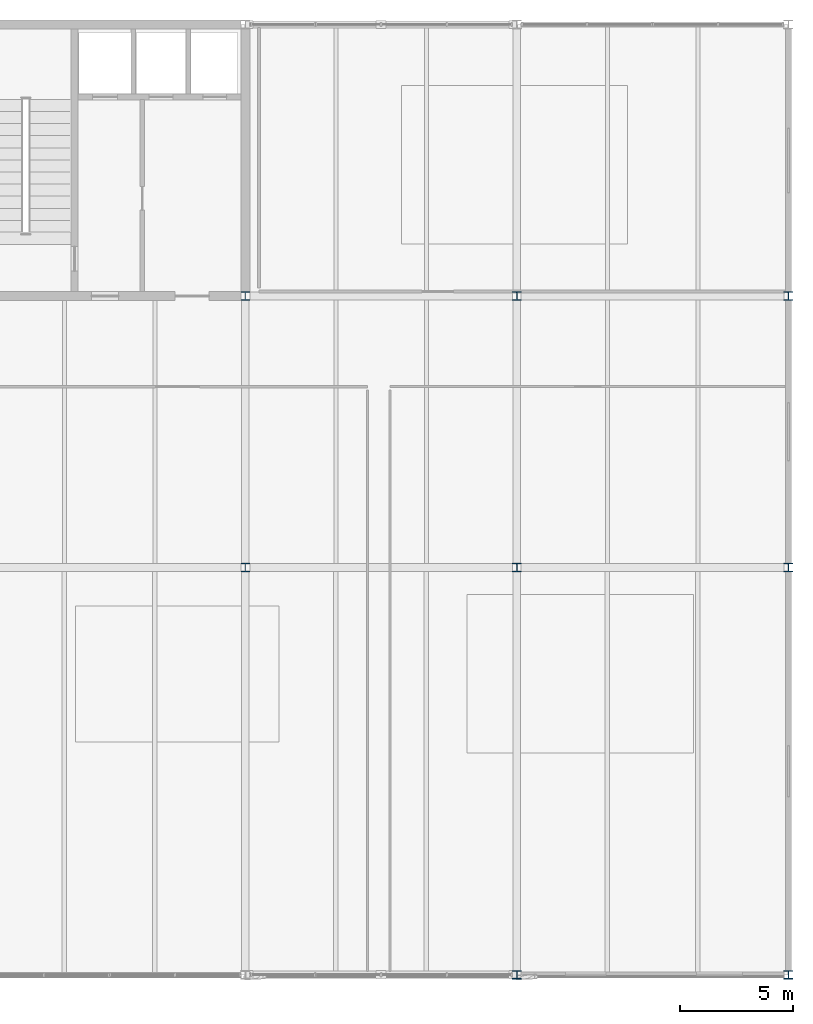
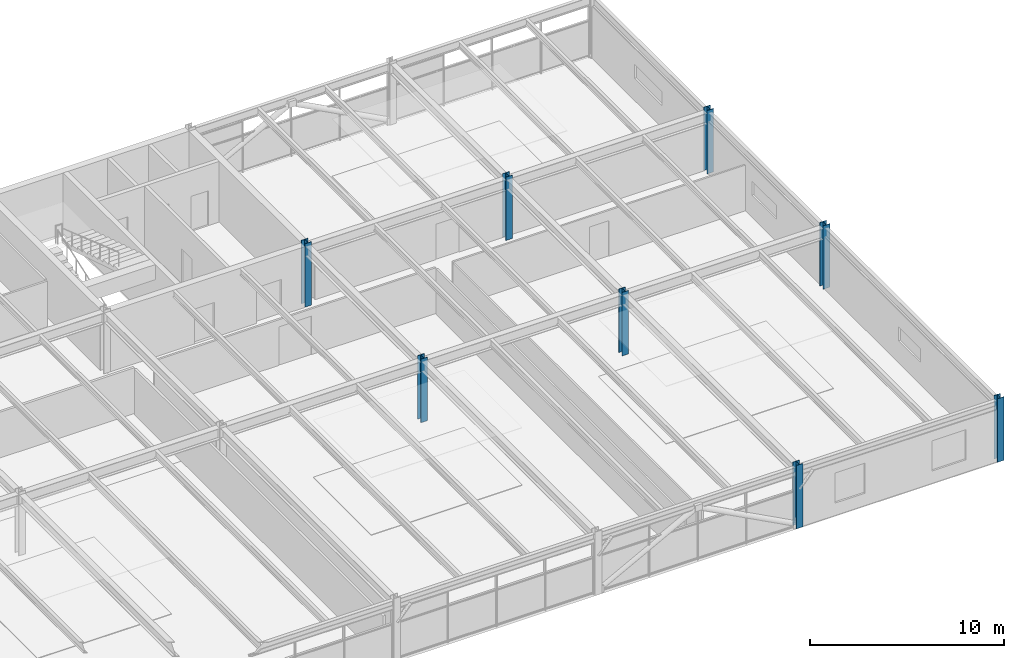
# One storey, part 5 of 51: 8 columns.
"""IFC4 building model written with IfcOpenShell, lengths in metres."""

from ifc_helpers import new_model, si_unit, direction, frame, origin, origin_2d, place, context, subcontext, project, spatial, i_section, extrude, material, material_profile, profile_set, type_object, element, save


model = new_model("IFC4")

# Units and contexts
model_context = context("Model", 3, precision=1e-05, world=origin(), true_north=direction((0.0, 1.0)))
body_context = subcontext(model_context, "Body", "Model", "MODEL_VIEW")
ifc_project = project(units=[si_unit("LENGTHUNIT", "METRE"), si_unit("AREAUNIT", "SQUARE_METRE"), si_unit("VOLUMEUNIT", "CUBIC_METRE"), si_unit("PLANEANGLEUNIT", "RADIAN"), si_unit("MASSUNIT", "GRAM", prefix="KILO")], contexts=[model_context])

# Site, building, storey
site_placement = place(None, origin())
site = spatial("IfcSite", under=ifc_project, at=site_placement, CompositionType="ELEMENT")
building_placement = place(site_placement, origin())
building = spatial("IfcBuilding", under=site, at=building_placement, Name="Girod Span Mobility Hub", CompositionType="ELEMENT")
storey_placement = place(building_placement, frame((0.0, 0.0, 41.60009765625)))
storey = spatial("IfcBuildingStorey", under=building, at=storey_placement, Name="L10", CompositionType="ELEMENT", Elevation=41.60009765625)

# Columns
ifc_material_1 = material(Name="Steel A992 Grade 50", Category="steel")
ifc_material_profile_1 = material_profile(ifc_material_1, i_section(OverallWidth=0.39404296875, OverallDepth=0.375, WebThickness=0.017333984375, FlangeThickness=0.027587890625, FilletRadius=0.01806640625, at=origin_2d()), Name="W14X145")
ifc_profile_set_1 = profile_set([ifc_material_profile_1], Name="Steel A992 Grade 50")
column_type_1 = type_object("IfcColumnType", Name="COL-STL-W14X145", PredefinedType="COLUMN", material=ifc_profile_set_1)
for number, where, z_axis, x_axis, name in (
    (1, (132.0, 27.0, 0.0), (0.0, 0.0, 1.0), (1.0, 0.0, 0.0), "Column 12C L10"),
    (2, (132.0, 45.0, 0.0), (0.0, 0.0, 1.0), (1.0, 0.0, 0.0), "Column 12D L10"),
    (3, (132.0, 57.0, 0.0), (0.0, 0.0, 1.0), (1.0, 0.0, 0.0), "Column 12E L10"),
    (4, (144.0, 27.0, 0.0), (0.0, 0.0, 1.0), (1.0, 0.0, 0.0), "Column 13C L10"),
    (5, (144.0, 45.0, 0.0), (0.0, 0.0, 1.0), (1.0, 0.0, 0.0), "Column 13D L10"),
    (6, (144.0, 57.0, 0.0), (0.0, 0.0, 1.0), (1.0, 0.0, 0.0), "Column 13E L10"),
):
    element("IfcColumn", number, at=place(storey_placement, frame(where, z_axis=z_axis, x_axis=x_axis)), inside=storey, type_object=column_type_1, Name=name, PredefinedType="COLUMN", context=body_context, shape_type="SweptSolid", body=[
        extrude(i_section(OverallWidth=0.39404296875, OverallDepth=0.375, WebThickness=0.017333984375, FlangeThickness=0.027587890625, FilletRadius=0.01806640625, at=origin_2d()), origin(), (0.0, 0.0, 1.0), 4.0),
    ])
ifc_material_2 = material(Name="Steel A992 Grade 50", Category="steel")
ifc_material_profile_2 = material_profile(ifc_material_2, i_section(OverallWidth=0.39892578125, OverallDepth=0.39306640625, WebThickness=0.022705078125, FlangeThickness=0.03662109375, FilletRadius=0.01806640625, at=origin_2d()), Name="W14X193")
ifc_profile_set_2 = profile_set([ifc_material_profile_2], Name="Steel A992 Grade 50")
column_type_2 = type_object("IfcColumnType", Name="COL-STL-W14X193", PredefinedType="COLUMN", material=ifc_profile_set_2)
for number, where, z_axis, x_axis, name in (
    (7, (120.0, 45.0, 0.0), (0.0, 0.0, 1.0), (1.0, 0.0, 0.0), "Column 11D L10"),
    (8, (120.0, 57.0, 0.0), (0.0, 0.0, 1.0), (1.0, 0.0, 0.0), "Column 11E L10"),
):
    element("IfcColumn", number, at=place(storey_placement, frame(where, z_axis=z_axis, x_axis=x_axis)), inside=storey, type_object=column_type_2, Name=name, PredefinedType="COLUMN", context=body_context, shape_type="SweptSolid", body=[
        extrude(i_section(OverallWidth=0.39892578125, OverallDepth=0.39306640625, WebThickness=0.022705078125, FlangeThickness=0.03662109375, FilletRadius=0.01806640625, at=origin_2d()), origin(), (0.0, 0.0, 1.0), 4.0),
    ])

save(model, "model.ifc")
